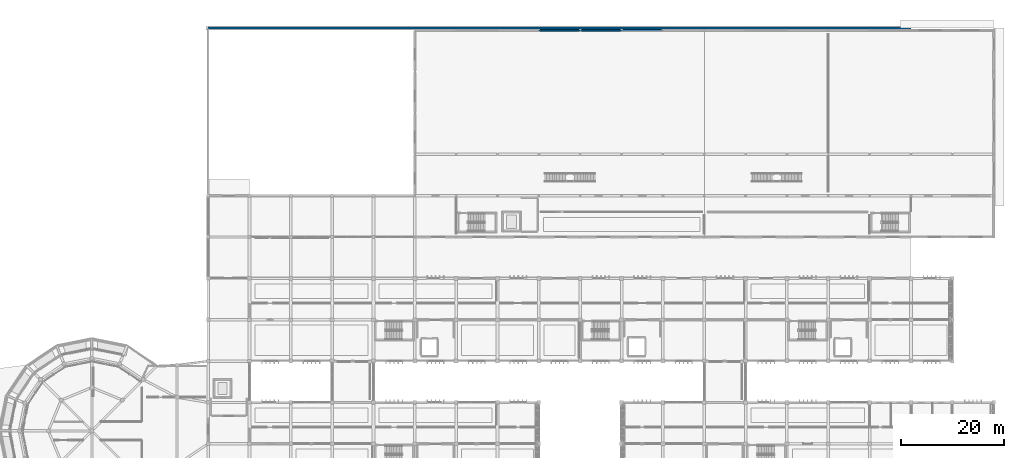
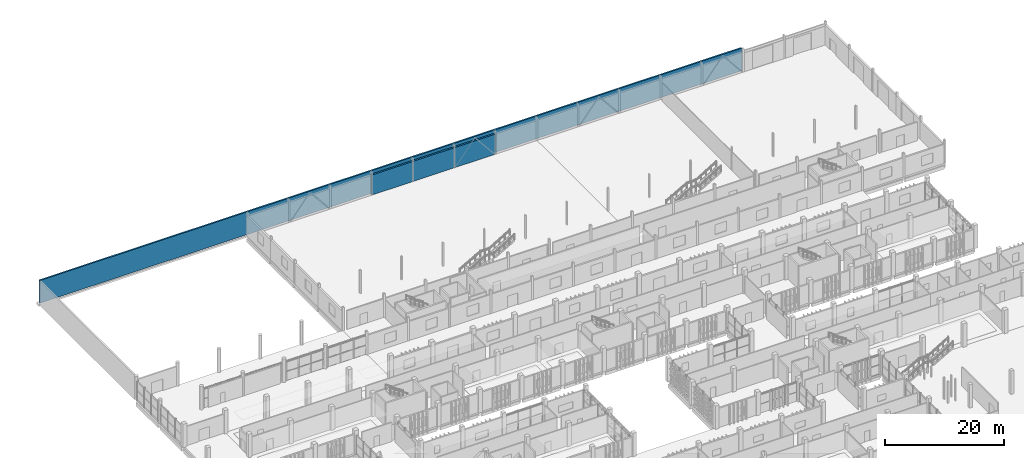
# One storey, part 92 of 117: 4 walls.
"""IFC4 building model written with IfcOpenShell, lengths in metres."""

from ifc_helpers import new_model, si_unit, direction, frame, frame_2d, origin, place, context, subcontext, project, spatial, rectangle, extrude, material, layer, layer_set, type_object, element, save


model = new_model("IFC4")

# Units and contexts
model_context = context("Model", 3, precision=1e-05, world=origin(), true_north=direction((0.0, 1.0)))
body_context = subcontext(model_context, "Body", "Model", "MODEL_VIEW")
ifc_project = project(units=[si_unit("LENGTHUNIT", "METRE"), si_unit("AREAUNIT", "SQUARE_METRE"), si_unit("VOLUMEUNIT", "CUBIC_METRE"), si_unit("PLANEANGLEUNIT", "RADIAN"), si_unit("MASSUNIT", "GRAM", prefix="KILO")], contexts=[model_context])

# Site, building, storey
site_placement = place(None, origin())
site = spatial("IfcSite", under=ifc_project, at=site_placement, CompositionType="ELEMENT")
building_placement = place(site_placement, origin())
building = spatial("IfcBuilding", under=site, at=building_placement, Name="Jelvoka-Kovrelna Polytechnic", CompositionType="ELEMENT")
storey_placement = place(building_placement, origin())
storey = spatial("IfcBuildingStorey", under=building, at=storey_placement, Name="L01", CompositionType="ELEMENT", Elevation=0.0)

# Walls
ifc_material_1 = material(Name="Precast concrete C40/50", Category="concrete")
ifc_layer_1 = layer(ifc_material_1, 0.300048828125)
ifc_layer_set_1 = layer_set([ifc_layer_1], Name="Precast concrete C40/50")
wall_type_1 = type_object("IfcWallType", Name="Wall_Ext_White_300", PredefinedType="STANDARD", material=ifc_layer_set_1)
wall_placement = place(storey_placement, frame((48.0, 120.449951171875, 0.0), z_axis=(0.0, 0.0, 1.0), x_axis=(1.0, 0.0, 0.0)))
element("IfcWall", 1, at=wall_placement, inside=storey, type_object=wall_type_1, Name="L01 exterior wall 0861", PredefinedType="PARAPET", context=body_context, shape_type="SweptSolid", body=[
    extrude(rectangle(XDim=136.0, YDim=0.300048828125, at=frame_2d((68.0, 0.0))), origin(), (0.0, 0.0, 1.0), 4.64990234375),
])
ifc_material_2 = material(Name="Precast concrete C40/50", Category="concrete")
ifc_layer_2 = layer(ifc_material_2, 0.340087890625)
ifc_layer_set_2 = layer_set([ifc_layer_2], Name="Precast concrete C40/50")
wall_type_2 = type_object("IfcWallType", Name="Wall_Ext_Workshop_340", PredefinedType="STANDARD", material=ifc_layer_set_2)
for number, where, z_axis, x_axis, name in (
    (2, (112.00390625, 120.0, 0.0), (0.0, 0.0, 1.0), (1.0, 0.0, 0.0), "L01 exterior wall 0866"),
    (3, (120.00390625, 120.0, 0.0), (0.0, 0.0, 1.0), (1.0, 0.0, 0.0), "L01 exterior wall 0867"),
    (4, (128.00390625, 120.0, 0.0), (0.0, 0.0, 1.0), (1.0, 0.0, 0.0), "L01 exterior wall 0868"),
):
    element("IfcWall", number, at=place(storey_placement, frame(where, z_axis=z_axis, x_axis=x_axis)), inside=storey, type_object=wall_type_2, Name=name, PredefinedType="STANDARD", context=body_context, shape_type="SweptSolid", body=[
        extrude(rectangle(XDim=7.9921875, YDim=0.340087890625, at=frame_2d((3.99609375, 0.0))), origin(), (0.0, 0.0, 1.0), 4.1201171875),
    ])

save(model, "model.ifc")
